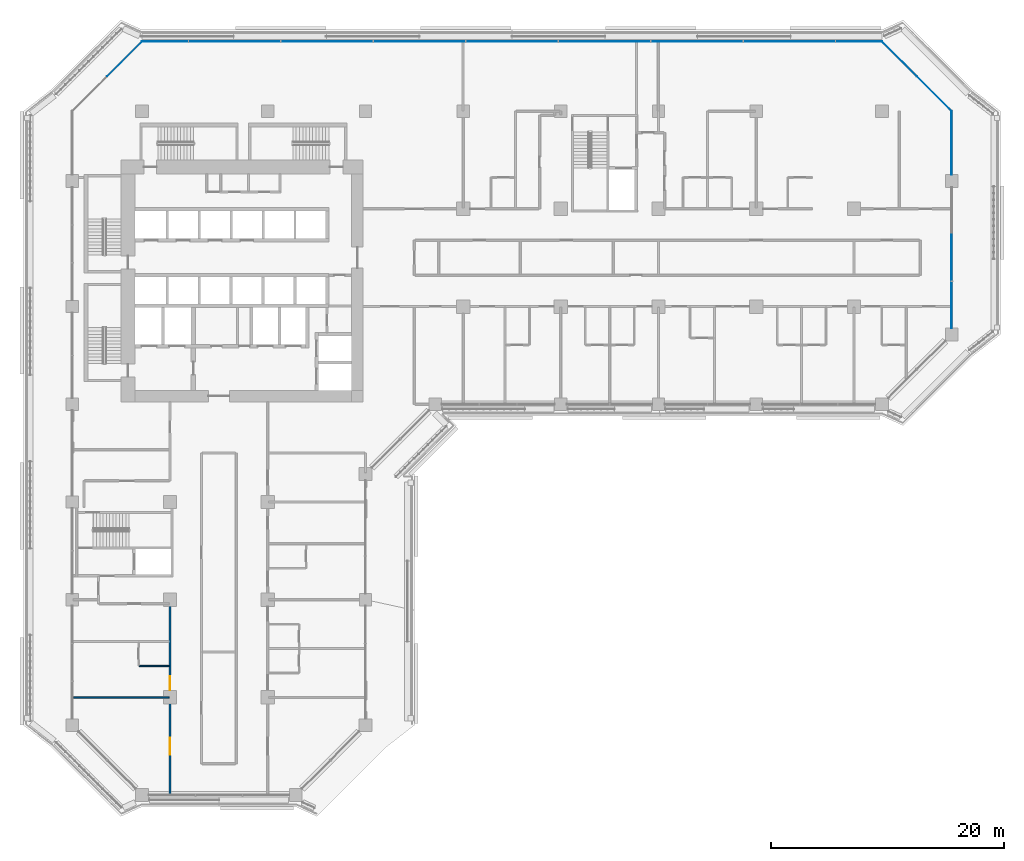
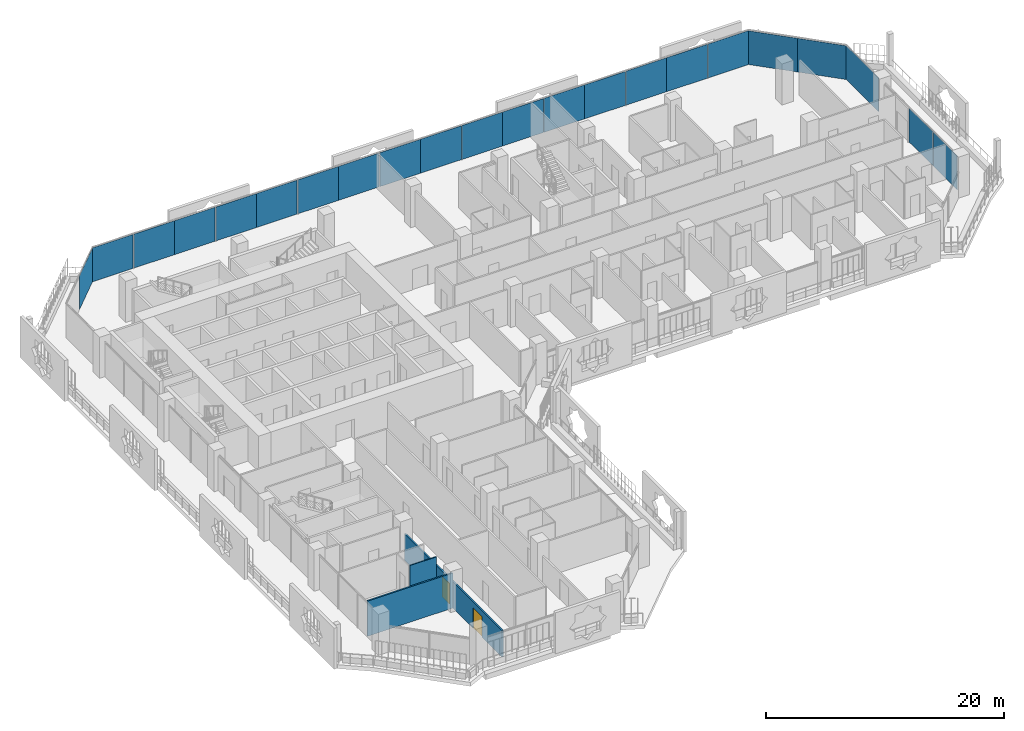
# One storey, part 11 of 25: 22 plates, 3 walls, 2 doors, 2 openings, 4 elements without a shape of their own.
"""IFC4 building model written with IfcOpenShell, lengths in metres."""

import ifcopenshell
import ifcopenshell.guid

model = None  # the IFC model being written
_history = None  # IfcOwnerHistory: only IFC2X3 demands one
_inside = {}  # id of a spatial element -> (the spatial element, [elements in it])
_under = {}  # id of a project, library or spatial element -> (it, [spatial elements below it])
_declared = {}  # id of a project -> (the project, [libraries it declares])
_typed = {}  # id of a type object -> (the type object, [elements of that type])
_made_of = {}  # id of a material, layer set ... -> (it, [elements and type objects made of it])


def new_model(schema):
    """Start an empty IFC model of exactly this schema.

    Asked for "IFC4X3", IfcOpenShell would pick the latest addendum, in which some entities
    have other attributes; the version numbers below select the first issue.
    IFC2X3 requires an IfcOwnerHistory on every rooted entity: one is made here for all.
    """
    global model, _history
    if schema == "IFC4X3":
        model = ifcopenshell.file(schema_version=(4, 3, 0, 0))
    else:
        model = ifcopenshell.file(schema=schema)
    _inside.clear()
    _under.clear()
    _declared.clear()
    _typed.clear()
    _made_of.clear()
    _history = None
    if model.schema == "IFC2X3":
        org = make("IfcOrganization", Name="unknown")
        user = make(
            "IfcPersonAndOrganization",
            ThePerson=make("IfcPerson", FamilyName="unknown"),
            TheOrganization=org,
        )
        app = make(
            "IfcApplication",
            ApplicationDeveloper=org,
            Version="unknown",
            ApplicationFullName="unknown",
            ApplicationIdentifier="unknown",
        )
        _history = make(
            "IfcOwnerHistory",
            OwningUser=user,
            OwningApplication=app,
            ChangeAction="ADDED",
            CreationDate=0,
        )
    return model


def make(cls, **values):
    """One entity of the class cls with the attributes given. An attribute that is None is left unset."""
    return model.create_entity(
        cls, **{name: value for name, value in values.items() if value is not None}
    )


def rooted(cls, **values):
    """An entity with a GlobalId (a new one), such as an element, a storey or a relation."""
    return make(cls, GlobalId=ifcopenshell.guid.new(), OwnerHistory=_history, **values)


def si_unit(unit_type, name, prefix=None):
    """IfcSIUnit, for example si_unit("LENGTHUNIT", "METRE", prefix="MILLI")."""
    return make("IfcSIUnit", UnitType=unit_type, Prefix=prefix, Name=name)


def assignment(units):
    """IfcUnitAssignment: the units of a project."""
    return None if units is None else make("IfcUnitAssignment", Units=units)


def point(xyz):
    """IfcCartesianPoint."""
    return None if xyz is None else make("IfcCartesianPoint", Coordinates=xyz)


def direction(xyz):
    """IfcDirection."""
    return None if xyz is None else make("IfcDirection", DirectionRatios=xyz)


def frame(location, z_axis=None, x_axis=None):
    """IfcAxis2Placement3D, a coordinate frame: its origin and axes. An axis left out is left unset."""
    return make(
        "IfcAxis2Placement3D",
        Location=point(location),
        Axis=direction(z_axis),
        RefDirection=direction(x_axis),
    )


def frame_2d(location, x_axis=None):
    """IfcAxis2Placement2D, a coordinate frame in the plane: its origin and x axis."""
    return make(
        "IfcAxis2Placement2D", Location=point(location), RefDirection=direction(x_axis)
    )


def origin():
    """The frame at (0, 0, 0) with its axes left unset."""
    return frame((0.0, 0.0, 0.0))


def origin_2d():
    """The frame at (0, 0) in the plane with its x axis left unset."""
    return frame_2d((0.0, 0.0))


def place(relative_to, where):
    """IfcLocalPlacement: puts the frame where relative to a parent placement (None: the world)."""
    return make(
        "IfcLocalPlacement", PlacementRelTo=relative_to, RelativePlacement=where
    )


def context(
    kind, dimensions, precision=None, world=None, true_north=None, identifier=None
):
    """IfcGeometricRepresentationContext, for example the 3D "Model" context."""
    return make(
        "IfcGeometricRepresentationContext",
        ContextIdentifier=identifier,
        ContextType=kind,
        CoordinateSpaceDimension=dimensions,
        Precision=precision,
        WorldCoordinateSystem=world,
        TrueNorth=true_north,
    )


def subcontext(parent, identifier, kind, view, scale=None):
    """IfcGeometricRepresentationSubContext, for example "Body" below "Model"."""
    return make(
        "IfcGeometricRepresentationSubContext",
        ContextIdentifier=identifier,
        ContextType=kind,
        ParentContext=parent,
        TargetScale=scale,
        TargetView=view,
    )


def project(units=None, contexts=None):
    """IfcProject with its units and contexts."""
    return rooted(
        "IfcProject",
        Name="project",
        RepresentationContexts=contexts,
        UnitsInContext=assignment(units),
    )


def spatial(cls, under=None, at=None, **own):
    """A site, building, storey or space (cls), placed at a placement, below another one or the project."""
    s = rooted(cls, ObjectPlacement=at, **own)
    if under is not None:
        _under.setdefault(under.id(), (under, []))[1].append(s)
    return s


def profile(cls, at=None, kind="AREA", **sizes):
    """A parametric profile (cls). Its sizes go by their IFC names, for example OverallWidth=200.0."""
    return make(cls, ProfileType=kind, Position=at, **sizes)


def rectangle(**sizes):
    """IfcRectangleProfileDef."""
    return profile("IfcRectangleProfileDef", **sizes)


def extrude(swept, where, along, depth):
    """IfcExtrudedAreaSolid: the profile swept, set in the frame where, extruded along a direction by depth."""
    return make(
        "IfcExtrudedAreaSolid",
        SweptArea=swept,
        Position=where,
        ExtrudedDirection=direction(along),
        Depth=depth,
    )


def shape(context_of_items, identifier, shape_type, items):
    """IfcShapeRepresentation: the items that make up one representation, for example the "Body"."""
    return make(
        "IfcShapeRepresentation",
        ContextOfItems=context_of_items,
        RepresentationIdentifier=identifier,
        RepresentationType=shape_type,
        Items=items,
    )


def material(Name=None, Category=None):
    """IfcMaterial."""
    return make("IfcMaterial", Name=Name, Category=Category)


def layer(
    of_material, thickness, ventilated=None, Name=None, Category=None, Priority=None
):
    """IfcMaterialLayer: one layer of a wall or slab, of a material (None: an air gap)."""
    return make(
        "IfcMaterialLayer",
        Material=of_material,
        LayerThickness=thickness,
        IsVentilated=ventilated,
        Name=Name,
        Category=Category,
        Priority=Priority,
    )


def layer_set(layers, Name=None):
    """IfcMaterialLayerSet."""
    return make("IfcMaterialLayerSet", MaterialLayers=layers, LayerSetName=Name)


def made_of(thing, what):
    """Note that an element or type object is made of a material, layer set ...; save() writes the relation."""
    if what is not None:
        _made_of.setdefault(what.id(), (what, []))[1].append(thing)
    return thing


def type_object(cls, material=None, **own):
    """A type object (cls), such as IfcWallType, which elements share."""
    return made_of(rooted(cls, **own), material)


def element(
    cls,
    number,
    at=None,
    inside=None,
    cuts=None,
    type_object=None,
    material=None,
    context=None,
    identifier="Body",
    shape_type=None,
    held_by="IfcProductDefinitionShape",
    body=None,
    shapes=None,
    **own,
):
    """One element of the class cls, such as IfcWall. Its Tag is "e" and its number.

    at: its placement. inside: the storey or other place that contains it. cuts: it is an
    opening in that element (IfcRelVoidsElement). A single representation is given by context,
    identifier, shape_type and body (its items); several are given by shapes. held_by: the class
    of the entity that holds the representations. save() writes the other relations.
    """
    e = rooted(cls, Tag="e%d" % number, ObjectPlacement=at, **own)
    if body is not None:
        shapes = [shape(context, identifier, shape_type, body)]
    if shapes is not None:
        e.Representation = make(held_by, Representations=shapes)
    if inside is not None:
        _inside.setdefault(inside.id(), (inside, []))[1].append(e)
    if cuts is not None:
        rooted(
            "IfcRelVoidsElement", RelatingBuildingElement=cuts, RelatedOpeningElement=e
        )
    if type_object is not None:
        _typed.setdefault(type_object.id(), (type_object, []))[1].append(e)
    return made_of(e, material)


def fill(opening, filler):
    """IfcRelFillsElement: the door or window that sits in an opening."""
    return rooted(
        "IfcRelFillsElement",
        RelatingOpeningElement=opening,
        RelatedBuildingElement=filler,
    )


def aggregate(whole, parts):
    """IfcRelAggregates: a whole, such as a stair, and the parts it consists of."""
    return rooted("IfcRelAggregates", RelatingObject=whole, RelatedObjects=parts)


def save(model, path):
    """Write the relations noted so far, then the file.

    IfcRelAggregates (storeys below a building ...), IfcRelContainedInSpatialStructure (elements
    in a storey), IfcRelDefinesByType, IfcRelAssociatesMaterial and IfcRelDeclares: one each for
    every whole, place, type object, material and project.
    """
    for whole, parts in _under.values():
        aggregate(whole, parts)
    for where, things in _inside.values():
        rooted(
            "IfcRelContainedInSpatialStructure",
            RelatedElements=things,
            RelatingStructure=where,
        )
    for kind, things in _typed.values():
        rooted("IfcRelDefinesByType", RelatedObjects=things, RelatingType=kind)
    for what, things in _made_of.values():
        rooted("IfcRelAssociatesMaterial", RelatedObjects=things, RelatingMaterial=what)
    for by, libraries in _declared.values():
        rooted("IfcRelDeclares", RelatingContext=by, RelatedDefinitions=libraries)
    model.write(path)


model = new_model("IFC4")

# Units and contexts
model_context = context("Model", 3, precision=1e-05, world=origin(), true_north=direction((0.0, 1.0)))
body_context = subcontext(model_context, "Body", "Model", "MODEL_VIEW")
ifc_project = project(units=[si_unit("LENGTHUNIT", "METRE"), si_unit("AREAUNIT", "SQUARE_METRE"), si_unit("VOLUMEUNIT", "CUBIC_METRE"), si_unit("PLANEANGLEUNIT", "RADIAN"), si_unit("MASSUNIT", "GRAM", prefix="KILO")], contexts=[model_context])

# Site, building, storey
site_placement = place(None, origin())
site = spatial("IfcSite", under=ifc_project, at=site_placement, CompositionType="ELEMENT")
building_placement = place(site_placement, origin())
building = spatial("IfcBuilding", under=site, at=building_placement, Name="Kawkab Arch Medical Tower", CompositionType="ELEMENT")
storey_placement = place(building_placement, frame((0.0, 0.0, 136.60009765625)))
storey = spatial("IfcBuildingStorey", under=building, at=storey_placement, Name="L31", CompositionType="ELEMENT", Elevation=136.60009765625)

# Curtain wall, plates
ifc_material_1 = material(Name="Bronze anodised aluminium curtain wall frame", Category="aluminium")
ifc_layer_1 = layer(ifc_material_1, 0.159912109375)
ifc_layer_set_1 = layer_set([ifc_layer_1], Name="Bronze anodised aluminium curtain wall frame")
curtain_wall_type_1 = type_object("IfcCurtainWallType", Name="CW1 ward curtain wall", PredefinedType="NOTDEFINED", material=ifc_layer_set_1)
placement = place(storey_placement, origin())
curtain_wall_1 = element("IfcCurtainWall", 1, at=placement, inside=storey, type_object=curtain_wall_type_1, Name="CW1 Ward curtain wall R09", PredefinedType="NOTDEFINED")
ifc_material_2 = material(Name="Tinted insulating glass, bronze low-e coating", Category="glass")
ifc_layer_2 = layer(ifc_material_2, 0.031982421875)
ifc_layer_set_2 = layer_set([ifc_layer_2], Name="Tinted insulating glass, bronze low-e coating")
plate_type_1 = type_object("IfcPlateType", Name="CW1 glazing unit 32", PredefinedType="CURTAIN_PANEL", material=ifc_layer_set_2)
plate_1_placement = place(storey_placement, frame((75.60009765625, -16.6484375, 0.0), z_axis=(0.0, 0.0, 1.0), x_axis=(0.0, 1.0, 0.0)))
plate_1 = element("IfcPlate", 2, at=plate_1_placement, type_object=plate_type_1, Name="CW1 glazing unit 1.1", PredefinedType="CURTAIN_PANEL", context=body_context, shape_type="SweptSolid", body=[
    extrude(rectangle(XDim=4.00341796875, YDim=0.031982421875, at=origin_2d()), origin(), (0.0, 0.0, 1.0), 3.47998046875),
])
plate_2_placement = place(storey_placement, frame((75.60009765625, -12.5849609375, 0.0), z_axis=(0.0, 0.0, 1.0), x_axis=(0.0, 1.0, 0.0)))
plate_2 = element("IfcPlate", 3, at=plate_2_placement, type_object=plate_type_1, Name="CW1 glazing unit 1.2", PredefinedType="CURTAIN_PANEL", context=body_context, shape_type="SweptSolid", body=[
    extrude(rectangle(XDim=4.00341796875, YDim=0.031982421875, at=origin_2d()), origin(), (0.0, 0.0, 1.0), 3.47998046875),
])
plate_3_placement = place(storey_placement, frame((75.60009765625, -2.72509765625, 0.0), z_axis=(0.0, 0.0, 1.0), x_axis=(0.0, 1.0, 0.0)))
plate_3 = element("IfcPlate", 4, at=plate_3_placement, type_object=plate_type_1, Name="CW1 glazing unit 2.1", PredefinedType="CURTAIN_PANEL", context=body_context, shape_type="SweptSolid", body=[
    extrude(rectangle(XDim=5.449951171875, YDim=0.031982421875, at=origin_2d()), origin(), (0.0, 0.0, 1.0), 3.47998046875),
])
aggregate(curtain_wall_1, [plate_1, plate_2, plate_3])

curtain_wall_2 = element("IfcCurtainWall", 5, at=placement, inside=storey, type_object=curtain_wall_type_1, Name="CW1 Ward curtain wall R11", PredefinedType="NOTDEFINED")
plate_4_placement = place(storey_placement, frame((67.62744140625, 6.0, 0.0), z_axis=(0.0, 0.0, 1.0), x_axis=(-1.0, 0.0, 0.0)))
plate_4 = element("IfcPlate", 6, at=plate_4_placement, type_object=plate_type_1, Name="CW1 glazing unit 1.1", PredefinedType="CURTAIN_PANEL", context=body_context, shape_type="SweptSolid", body=[
    extrude(rectangle(XDim=3.945068359375, YDim=0.031982421875, at=origin_2d()), origin(), (0.0, 0.0, 1.0), 3.47998046875),
])
plate_5_placement = place(storey_placement, frame((63.62255859375, 6.0, 0.0), z_axis=(0.0, 0.0, 1.0), x_axis=(-1.0, 0.0, 0.0)))
plate_5 = element("IfcPlate", 7, at=plate_5_placement, type_object=plate_type_1, Name="CW1 glazing unit 1.2", PredefinedType="CURTAIN_PANEL", context=body_context, shape_type="SweptSolid", body=[
    extrude(rectangle(XDim=3.945068359375, YDim=0.031982421875, at=origin_2d()), origin(), (0.0, 0.0, 1.0), 3.47998046875),
])
plate_6_placement = place(storey_placement, frame((59.677490234375, 6.0, 0.0), z_axis=(0.0, 0.0, 1.0), x_axis=(-1.0, 0.0, 0.0)))
plate_6 = element("IfcPlate", 8, at=plate_6_placement, type_object=plate_type_1, Name="CW1 glazing unit 2.1", PredefinedType="CURTAIN_PANEL", context=body_context, shape_type="SweptSolid", body=[
    extrude(rectangle(XDim=3.945068359375, YDim=0.031982421875, at=origin_2d()), origin(), (0.0, 0.0, 1.0), 3.47998046875),
])
plate_7_placement = place(storey_placement, frame((55.672607421875, 6.0, 0.0), z_axis=(0.0, 0.0, 1.0), x_axis=(-1.0, 0.0, 0.0)))
plate_7 = element("IfcPlate", 9, at=plate_7_placement, type_object=plate_type_1, Name="CW1 glazing unit 2.2", PredefinedType="CURTAIN_PANEL", context=body_context, shape_type="SweptSolid", body=[
    extrude(rectangle(XDim=3.945068359375, YDim=0.031982421875, at=origin_2d()), origin(), (0.0, 0.0, 1.0), 3.47998046875),
])
plate_8_placement = place(storey_placement, frame((51.7275390625, 6.0, 0.0), z_axis=(0.0, 0.0, 1.0), x_axis=(-1.0, 0.0, 0.0)))
plate_8 = element("IfcPlate", 10, at=plate_8_placement, type_object=plate_type_1, Name="CW1 glazing unit 3.1", PredefinedType="CURTAIN_PANEL", context=body_context, shape_type="SweptSolid", body=[
    extrude(rectangle(XDim=3.945068359375, YDim=0.031982421875, at=origin_2d()), origin(), (0.0, 0.0, 1.0), 3.47998046875),
])
plate_9_placement = place(storey_placement, frame((47.722412109375, 6.0, 0.0), z_axis=(0.0, 0.0, 1.0), x_axis=(-1.0, 0.0, 0.0)))
plate_9 = element("IfcPlate", 11, at=plate_9_placement, type_object=plate_type_1, Name="CW1 glazing unit 3.2", PredefinedType="CURTAIN_PANEL", context=body_context, shape_type="SweptSolid", body=[
    extrude(rectangle(XDim=3.945068359375, YDim=0.031982421875, at=origin_2d()), origin(), (0.0, 0.0, 1.0), 3.47998046875),
])
plate_10_placement = place(storey_placement, frame((43.777587890625, 6.0, 0.0), z_axis=(0.0, 0.0, 1.0), x_axis=(-1.0, 0.0, 0.0)))
plate_10 = element("IfcPlate", 12, at=plate_10_placement, type_object=plate_type_1, Name="CW1 glazing unit 4.1", PredefinedType="CURTAIN_PANEL", context=body_context, shape_type="SweptSolid", body=[
    extrude(rectangle(XDim=3.945068359375, YDim=0.031982421875, at=origin_2d()), origin(), (0.0, 0.0, 1.0), 3.47998046875),
])
plate_11_placement = place(storey_placement, frame((39.7724609375, 6.0, 0.0), z_axis=(0.0, 0.0, 1.0), x_axis=(-1.0, 0.0, 0.0)))
plate_11 = element("IfcPlate", 13, at=plate_11_placement, type_object=plate_type_1, Name="CW1 glazing unit 4.2", PredefinedType="CURTAIN_PANEL", context=body_context, shape_type="SweptSolid", body=[
    extrude(rectangle(XDim=3.945068359375, YDim=0.031982421875, at=origin_2d()), origin(), (0.0, 0.0, 1.0), 3.47998046875),
])
plate_12_placement = place(storey_placement, frame((35.827392578125, 6.0, 0.0), z_axis=(0.0, 0.0, 1.0), x_axis=(-1.0, 0.0, 0.0)))
plate_12 = element("IfcPlate", 14, at=plate_12_placement, type_object=plate_type_1, Name="CW1 glazing unit 5.1", PredefinedType="CURTAIN_PANEL", context=body_context, shape_type="SweptSolid", body=[
    extrude(rectangle(XDim=3.945068359375, YDim=0.031982421875, at=origin_2d()), origin(), (0.0, 0.0, 1.0), 3.47998046875),
])
plate_13_placement = place(storey_placement, frame((31.822509765625, 6.0, 0.0), z_axis=(0.0, 0.0, 1.0), x_axis=(-1.0, 0.0, 0.0)))
plate_13 = element("IfcPlate", 15, at=plate_13_placement, type_object=plate_type_1, Name="CW1 glazing unit 5.2", PredefinedType="CURTAIN_PANEL", context=body_context, shape_type="SweptSolid", body=[
    extrude(rectangle(XDim=3.945068359375, YDim=0.031982421875, at=origin_2d()), origin(), (0.0, 0.0, 1.0), 3.47998046875),
])
plate_14_placement = place(storey_placement, frame((27.87744140625, 6.0, 0.0), z_axis=(0.0, 0.0, 1.0), x_axis=(-1.0, 0.0, 0.0)))
plate_14 = element("IfcPlate", 16, at=plate_14_placement, type_object=plate_type_1, Name="CW1 glazing unit 6.1", PredefinedType="CURTAIN_PANEL", context=body_context, shape_type="SweptSolid", body=[
    extrude(rectangle(XDim=3.945068359375, YDim=0.031982421875, at=origin_2d()), origin(), (0.0, 0.0, 1.0), 3.47998046875),
])
plate_15_placement = place(storey_placement, frame((23.87255859375, 6.0, 0.0), z_axis=(0.0, 0.0, 1.0), x_axis=(-1.0, 0.0, 0.0)))
plate_15 = element("IfcPlate", 17, at=plate_15_placement, type_object=plate_type_1, Name="CW1 glazing unit 6.2", PredefinedType="CURTAIN_PANEL", context=body_context, shape_type="SweptSolid", body=[
    extrude(rectangle(XDim=3.945068359375, YDim=0.031982421875, at=origin_2d()), origin(), (0.0, 0.0, 1.0), 3.47998046875),
])
plate_16_placement = place(storey_placement, frame((19.927490234375, 6.0, 0.0), z_axis=(0.0, 0.0, 1.0), x_axis=(-1.0, 0.0, 0.0)))
plate_16 = element("IfcPlate", 18, at=plate_16_placement, type_object=plate_type_1, Name="CW1 glazing unit 7.1", PredefinedType="CURTAIN_PANEL", context=body_context, shape_type="SweptSolid", body=[
    extrude(rectangle(XDim=3.945068359375, YDim=0.031982421875, at=origin_2d()), origin(), (0.0, 0.0, 1.0), 3.47998046875),
])
plate_17_placement = place(storey_placement, frame((15.922607421875, 6.0, 0.0), z_axis=(0.0, 0.0, 1.0), x_axis=(-1.0, 0.0, 0.0)))
plate_17 = element("IfcPlate", 19, at=plate_17_placement, type_object=plate_type_1, Name="CW1 glazing unit 7.2", PredefinedType="CURTAIN_PANEL", context=body_context, shape_type="SweptSolid", body=[
    extrude(rectangle(XDim=3.945068359375, YDim=0.031982421875, at=origin_2d()), origin(), (0.0, 0.0, 1.0), 3.47998046875),
])
plate_18_placement = place(storey_placement, frame((11.9775390625, 6.0, 0.0), z_axis=(0.0, 0.0, 1.0), x_axis=(-1.0, 0.0, 0.0)))
plate_18 = element("IfcPlate", 20, at=plate_18_placement, type_object=plate_type_1, Name="CW1 glazing unit 8.1", PredefinedType="CURTAIN_PANEL", context=body_context, shape_type="SweptSolid", body=[
    extrude(rectangle(XDim=3.945068359375, YDim=0.031982421875, at=origin_2d()), origin(), (0.0, 0.0, 1.0), 3.47998046875),
])
plate_19_placement = place(storey_placement, frame((7.972412109375, 6.0, 0.0), z_axis=(0.0, 0.0, 1.0), x_axis=(-1.0, 0.0, 0.0)))
plate_19 = element("IfcPlate", 21, at=plate_19_placement, type_object=plate_type_1, Name="CW1 glazing unit 8.2", PredefinedType="CURTAIN_PANEL", context=body_context, shape_type="SweptSolid", body=[
    extrude(rectangle(XDim=3.945068359375, YDim=0.031982421875, at=origin_2d()), origin(), (0.0, 0.0, 1.0), 3.47998046875),
])
aggregate(curtain_wall_2, [plate_4, plate_5, plate_6, plate_7, plate_8, plate_9, plate_10, plate_11, plate_12, plate_13, plate_14, plate_15, plate_16, plate_17, plate_18, plate_19])

ifc_material_3 = material(Name="Bronze anodised aluminium curtain wall frame", Category="aluminium")
ifc_layer_3 = layer(ifc_material_3, 0.159912109375)
ifc_layer_set_3 = layer_set([ifc_layer_3], Name="Bronze anodised aluminium curtain wall frame")
curtain_wall_type_2 = type_object("IfcCurtainWallType", Name="CW2 chamfer curtain wall", PredefinedType="NOTDEFINED", material=ifc_layer_set_3)
curtain_wall_3 = element("IfcCurtainWall", 22, at=placement, inside=storey, type_object=curtain_wall_type_2, Name="CW2 Chamfer curtain wall R10", PredefinedType="NOTDEFINED")
ifc_material_4 = material(Name="Tinted insulating glass, bronze low-e coating", Category="glass")
ifc_layer_4 = layer(ifc_material_4, 0.031982421875)
ifc_layer_set_4 = layer_set([ifc_layer_4], Name="Tinted insulating glass, bronze low-e coating")
plate_type_2 = type_object("IfcPlateType", Name="CW2 glazing unit 32", PredefinedType="CURTAIN_PANEL", material=ifc_layer_set_4)
plate_20_placement = place(storey_placement, frame((74.10009765625, 1.5, 0.0), z_axis=(0.0, 0.0, 1.0), x_axis=(-0.707106781187, 0.707106781187, 0.0)))
plate_20 = element("IfcPlate", 23, at=plate_20_placement, type_object=plate_type_2, Name="CW2 glazing unit 1.1", PredefinedType="CURTAIN_PANEL", context=body_context, shape_type="SweptSolid", body=[
    extrude(rectangle(XDim=4.24267578125, YDim=0.031982421875, at=origin_2d()), origin(), (0.0, 0.0, 1.0), 3.4599609375),
])
plate_21_placement = place(storey_placement, frame((71.10009765625, 4.5, 0.0), z_axis=(0.0, 0.0, 1.0), x_axis=(-0.707106781187, 0.707106781187, 0.0)))
plate_21 = element("IfcPlate", 24, at=plate_21_placement, type_object=plate_type_2, Name="CW2 glazing unit 2.1", PredefinedType="CURTAIN_PANEL", context=body_context, shape_type="SweptSolid", body=[
    extrude(rectangle(XDim=4.24267578125, YDim=0.031982421875, at=origin_2d()), origin(), (0.0, 0.0, 1.0), 3.4599609375),
])
aggregate(curtain_wall_3, [plate_20, plate_21])

# Curtain wall, plate
curtain_wall_4 = element("IfcCurtainWall", 25, at=placement, inside=storey, type_object=curtain_wall_type_2, Name="CW2 Chamfer curtain wall R12", PredefinedType="NOTDEFINED")
plate_22_placement = place(storey_placement, frame((4.5, 4.5, 0.0), z_axis=(0.0, 0.0, 1.0), x_axis=(-0.707106781187, -0.707106781187, 0.0)))
plate_22 = element("IfcPlate", 26, at=plate_22_placement, type_object=plate_type_2, Name="CW2 glazing unit 1.1", PredefinedType="CURTAIN_PANEL", context=body_context, shape_type="SweptSolid", body=[
    extrude(rectangle(XDim=4.24267578125, YDim=0.031982421875, at=origin_2d()), origin(), (0.0, 0.0, 1.0), 3.4599609375),
])
aggregate(curtain_wall_4, [plate_22])

# Walls
ifc_material_5 = material(Name="Gypsum board partition on steel studs", Category="steel")
ifc_layer_5 = layer(ifc_material_5, 0.10009765625)
ifc_layer_set_5 = layer_set([ifc_layer_5], Name="Gypsum board partition on steel studs")
wall_type_1 = type_object("IfcWallType", Name="Partition 100", PredefinedType="PARTITIONING", material=ifc_layer_set_5)
wall_1_placement = place(storey_placement, frame((5.75, -47.699951171875, 0.0), z_axis=(0.0, 0.0, 1.0), x_axis=(1.0, 0.0, 0.0)))
element("IfcWall", 27, at=wall_1_placement, inside=storey, type_object=wall_type_1, Name="Partition 100 w002", PredefinedType="PARTITIONING", context=body_context, shape_type="SweptSolid", body=[
    extrude(rectangle(XDim=2.574951171875, YDim=0.10009765625, at=frame_2d((1.28759765625, 0.0))), origin(), (0.0, 0.0, 1.0), 3.599853515625),
])
ifc_material_6 = material(Name="Gypsum board partition on steel studs, mineral wool", Category="steel")
ifc_layer_6 = layer(ifc_material_6, 0.14990234375)
ifc_layer_set_6 = layer_set([ifc_layer_6], Name="Gypsum board partition on steel studs, mineral wool")
wall_type_2 = type_object("IfcWallType", Name="Partition 150", PredefinedType="PARTITIONING", material=ifc_layer_set_6)
wall_2_placement = place(storey_placement, frame((0.080078125, -50.39990234375, 0.0), z_axis=(0.0, 0.0, 1.0), x_axis=(1.0, 0.0, 0.0)))
element("IfcWall", 28, at=wall_2_placement, inside=storey, type_object=wall_type_2, Name="Partition 150 w028", PredefinedType="PARTITIONING", context=body_context, shape_type="SweptSolid", body=[
    extrude(rectangle(XDim=8.244873046875, YDim=0.14990234375, at=frame_2d((4.12255859375, 0.0))), origin(), (0.0, 0.0, 1.0), 3.599853515625),
])

# Wall, openings, doors
wall_3_placement = place(storey_placement, frame((8.39990234375, -58.719970703125, 0.0), z_axis=(0.0, 0.0, 1.0), x_axis=(0.0, 1.0, 0.0)))
wall_3 = element("IfcWall", 29, at=wall_3_placement, inside=storey, type_object=wall_type_2, Name="Partition 150 w058", PredefinedType="PARTITIONING", context=body_context, shape_type="SweptSolid", body=[
    extrude(rectangle(XDim=16.369873046875, YDim=0.14990234375, at=frame_2d((8.18505859375, 0.0))), origin(), (0.0, 0.0, 1.0), 2.699951171875),
])
opening_1_placement = place(wall_3_placement, frame((8.919921875, 0.0, 0.0)))
opening_1 = element("IfcOpeningElement", 30, at=opening_1_placement, cuts=wall_3, Name="Opening W26-053", PredefinedType="OPENING", context=body_context, shape_type="SweptSolid", body=[
    extrude(rectangle(XDim=1.199951171875, YDim=2.10009765625, at=frame_2d((0.60009765625, 1.050048828125))), frame((0.0, 0.0849609375, 0.0), z_axis=(0.0, -1.0, 0.0), x_axis=(1.0, 0.0, 0.0)), (0.0, 0.0, 1.0), 0.169921875),
])
opening_2_placement = place(wall_3_placement, frame((3.3701171875, 0.0, 0.0)))
opening_2 = element("IfcOpeningElement", 31, at=opening_2_placement, cuts=wall_3, Name="Opening W26-003", PredefinedType="OPENING", context=body_context, shape_type="SweptSolid", body=[
    extrude(rectangle(XDim=1.5, YDim=2.10009765625, at=frame_2d((0.75, 1.050048828125))), frame((0.0, 0.0849609375, 0.0), z_axis=(0.0, -1.0, 0.0), x_axis=(1.0, 0.0, 0.0)), (0.0, 0.0, 1.0), 0.169921875),
])
ifc_material_7 = material(Name="Hollow metal door leaf")
door_type_1 = type_object("IfcDoorType", Name="Double door 1500x2100 FD30S", OperationType="NOTDEFINED", PredefinedType="DOOR", material=ifc_material_7)
door_1_placement = place(opening_2_placement, origin())
door_1 = element("IfcDoor", 32, at=door_1_placement, inside=storey, type_object=door_type_1, Name="Door W26-003", OperationType="DOUBLE_DOOR_SINGLE_SWING", OverallHeight=2.10009765625, OverallWidth=1.5, PredefinedType="DOOR", context=body_context, shape_type="SweptSolid", body=[
    extrude(rectangle(XDim=1.5, YDim=2.10009765625, at=frame_2d((0.75, 1.050048828125))), frame((0.0, 0.02490234375, 0.0), z_axis=(0.0, -1.0, 0.0), x_axis=(1.0, 0.0, 0.0)), (0.0, 0.0, 1.0), 0.050048828125),
])
fill(opening_2, door_1)
ifc_material_8 = material(Name="Hollow metal door leaf")
door_type_2 = type_object("IfcDoorType", Name="Single door 1200x2100 FD30S", OperationType="NOTDEFINED", PredefinedType="DOOR", material=ifc_material_8)
door_2_placement = place(opening_1_placement, origin())
door_2 = element("IfcDoor", 33, at=door_2_placement, inside=storey, type_object=door_type_2, Name="Door W26-053", OperationType="SINGLE_SWING_RIGHT", OverallHeight=2.10009765625, OverallWidth=1.199951171875, PredefinedType="DOOR", context=body_context, shape_type="SweptSolid", body=[
    extrude(rectangle(XDim=1.199951171875, YDim=2.10009765625, at=frame_2d((0.60009765625, 1.050048828125))), frame((0.0, 0.02490234375, 0.0), z_axis=(0.0, -1.0, 0.0), x_axis=(1.0, 0.0, 0.0)), (0.0, 0.0, 1.0), 0.050048828125),
])
fill(opening_1, door_2)

save(model, "model.ifc")
